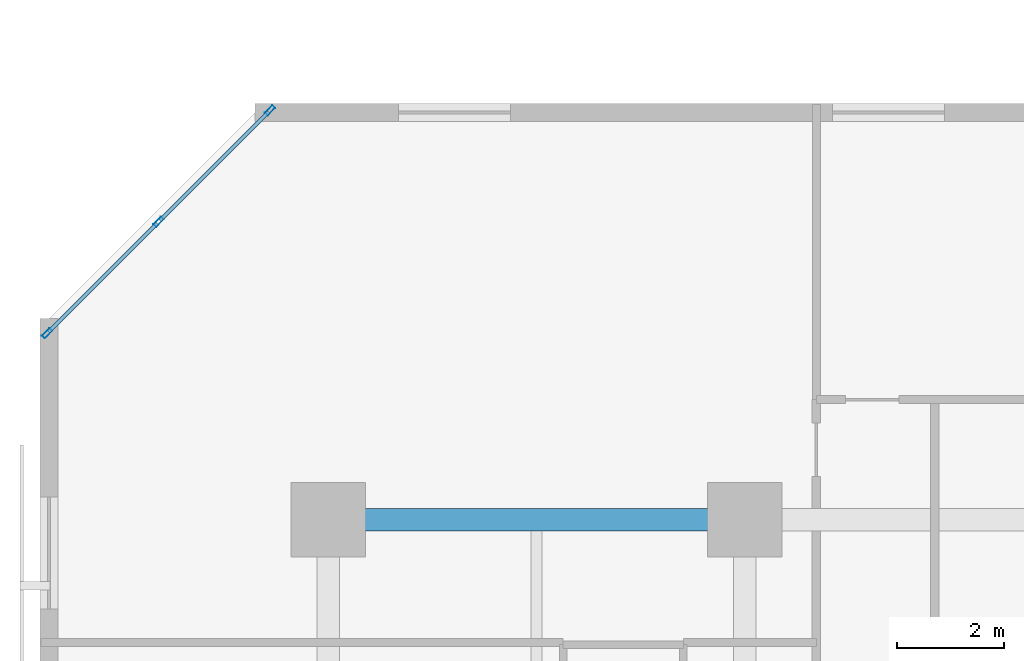
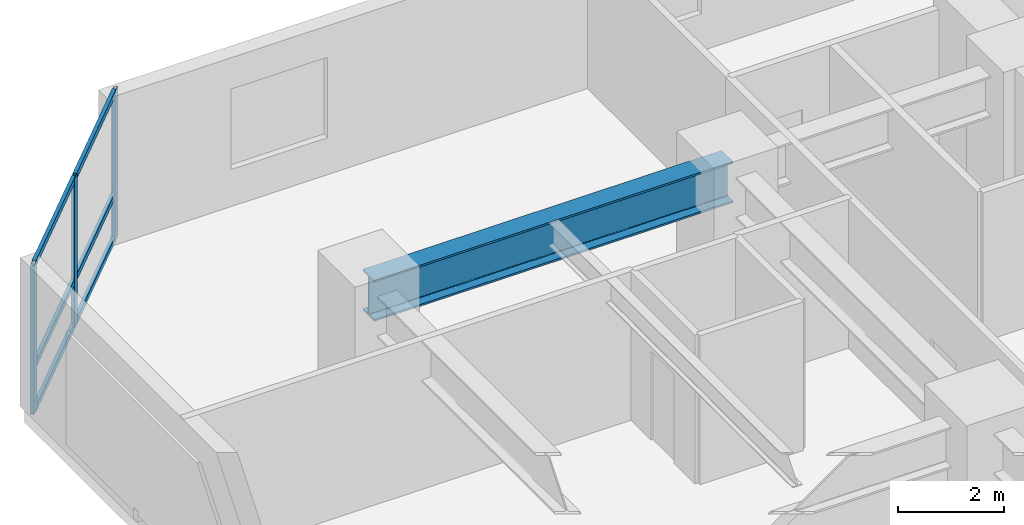
# One storey, part 2 of 11: 9 members, 1 beam, 1 element without a shape of its own.
"""IFC4 building model written with IfcOpenShell, lengths in metres."""

from ifc_helpers import new_model, si_unit, direction, frame, origin, origin_2d, place, context, subcontext, project, spatial, hollow_rectangle, i_section, extrude, material, layer, layer_set, material_profile, profile_set, type_object, element, aggregate, save


model = new_model("IFC4")

# Units and contexts
model_context = context("Model", 3, precision=1e-05, world=origin(), true_north=direction((0.0, 1.0)))
body_context = subcontext(model_context, "Body", "Model", "MODEL_VIEW")
ifc_project = project(units=[si_unit("LENGTHUNIT", "METRE"), si_unit("AREAUNIT", "SQUARE_METRE"), si_unit("VOLUMEUNIT", "CUBIC_METRE"), si_unit("PLANEANGLEUNIT", "RADIAN"), si_unit("MASSUNIT", "GRAM", prefix="KILO")], contexts=[model_context])

# Site, building, storey
site_placement = place(None, origin())
site = spatial("IfcSite", under=ifc_project, at=site_placement, CompositionType="ELEMENT")
building_placement = place(site_placement, origin())
building = spatial("IfcBuilding", under=site, at=building_placement, Name="Kestravale Grand Hotel", CompositionType="ELEMENT")
storey_placement = place(building_placement, frame((0.0, 0.0, 71.60009765625)))
storey = spatial("IfcBuildingStorey", under=building, at=storey_placement, Name="L17", CompositionType="ELEMENT", Elevation=71.60009765625)

# Beam
ifc_material_1 = material(Name="Steel ASTM A992 Grade 50", Category="steel")
ifc_material_profile_1 = material_profile(ifc_material_1, i_section(OverallWidth=0.424072265625, OverallDepth=0.947021484375, WebThickness=0.02392578125, FlangeThickness=0.042724609375, FilletRadius=0.0283203125, at=origin_2d()))
ifc_profile_set_1 = profile_set([ifc_material_profile_1], Name="Steel ASTM A992 Grade 50")
beam_type = type_object("IfcBeamType", Name="B-GRD-W36", PredefinedType="BEAM", material=ifc_profile_set_1)
beam_placement = place(storey_placement, frame((7.800048828125, 38.39990234375, 2.9462890625), z_axis=(1.0, 0.0, 0.0), x_axis=(0.0, 1.0, 0.0)))
element("IfcBeam", 1, at=beam_placement, inside=storey, type_object=beam_type, Name="L17 girder F:2-3", PredefinedType="BEAM", context=body_context, shape_type="SweptSolid", body=[
    extrude(i_section(OverallWidth=0.424072265625, OverallDepth=0.947021484375, WebThickness=0.02392578125, FlangeThickness=0.042724609375, FilletRadius=0.0283203125, at=origin_2d()), origin(), (0.0, 0.0, 1.0), 7.800048828125),
])

# Curtain wall, members
ifc_material_2 = material(Name="Thermally broken champagne-bronze aluminium and low-E glazing", Category="aluminium")
ifc_layer = layer(ifc_material_2, 0.199951171875)
ifc_layer_set = layer_set([ifc_layer], Name="CW-Z1")
curtain_wall_type = type_object("IfcCurtainWallType", Name="CW-Z1", PredefinedType="NOTDEFINED", material=ifc_layer_set)
curtain_wall_placement = place(storey_placement, origin())
curtain_wall = element("IfcCurtainWall", 2, at=curtain_wall_placement, inside=storey, type_object=curtain_wall_type, Name="L17 unitised curtain wall 18", PredefinedType="NOTDEFINED")
ifc_material_3 = material(Name="Aluminium 6063-T6 anodised", Category="aluminium")
ifc_material_profile_2 = material_profile(ifc_material_3, hollow_rectangle(XDim=0.074951171875, YDim=0.199951171875, WallThickness=0.00390625, at=origin_2d()))
ifc_profile_set_2 = profile_set([ifc_material_profile_2], Name="Aluminium 6063-T6 anodised")
member_type_1 = type_object("IfcMemberType", Name="CW-MUL-200", PredefinedType="MULLION", material=ifc_profile_set_2)
member_1_placement = place(storey_placement, frame((6.707763671875, 46.0673828125, 0.0), z_axis=(0.0, 0.0, 1.0), x_axis=(0.707106781187, -0.707106781187, 0.0)))
member_1 = element("IfcMember", 3, at=member_1_placement, type_object=member_type_1, Name="CW-Z1 mullion 1", PredefinedType="MULLION", context=body_context, shape_type="SweptSolid", body=[
    extrude(hollow_rectangle(XDim=0.074951171875, YDim=0.199951171875, WallThickness=0.00390625, at=origin_2d()), origin(), (0.0, 0.0, 1.0), 3.419921875),
])
member_2_placement = place(storey_placement, frame((4.6201171875, 43.979736328125, 0.0), z_axis=(0.0, 0.0, 1.0), x_axis=(0.707106781187, -0.707106781187, 0.0)))
member_2 = element("IfcMember", 4, at=member_2_placement, type_object=member_type_1, Name="CW-Z1 mullion 2", PredefinedType="MULLION", context=body_context, shape_type="SweptSolid", body=[
    extrude(hollow_rectangle(XDim=0.074951171875, YDim=0.199951171875, WallThickness=0.00390625, at=origin_2d()), origin(), (0.0, 0.0, 1.0), 3.419921875),
])
member_3_placement = place(storey_placement, frame((2.532470703125, 41.89208984375, 0.0), z_axis=(0.0, 0.0, 1.0), x_axis=(0.707106781187, -0.707106781187, 0.0)))
member_3 = element("IfcMember", 5, at=member_3_placement, type_object=member_type_1, Name="CW-Z1 mullion 3", PredefinedType="MULLION", context=body_context, shape_type="SweptSolid", body=[
    extrude(hollow_rectangle(XDim=0.074951171875, YDim=0.199951171875, WallThickness=0.00390625, at=origin_2d()), origin(), (0.0, 0.0, 1.0), 3.419921875),
])
ifc_material_4 = material(Name="Aluminium 6063-T6 anodised", Category="aluminium")
ifc_material_profile_3 = material_profile(ifc_material_4, hollow_rectangle(XDim=0.074951171875, YDim=0.139892578125, WallThickness=0.00341796875, at=origin_2d()))
ifc_profile_set_3 = profile_set([ifc_material_profile_3], Name="Aluminium 6063-T6 anodised")
member_type_2 = type_object("IfcMemberType", Name="CW-TRN-140", PredefinedType="USERDEFINED", material=ifc_profile_set_3)
member_4_placement = place(storey_placement, frame((6.681396484375, 46.041015625, 0.037353515625), z_axis=(-0.707106781187, -0.707106781187, 0.0), x_axis=(0.707106781187, -0.707106781187, 0.0)))
member_4 = element("IfcMember", 6, at=member_4_placement, type_object=member_type_2, Name="CW-Z1 transom 1.1", ObjectType="TRANSOM", PredefinedType="USERDEFINED", context=body_context, shape_type="SweptSolid", body=[
    extrude(hollow_rectangle(XDim=0.074951171875, YDim=0.139892578125, WallThickness=0.00341796875, at=origin_2d()), origin(), (0.0, 0.0, 1.0), 2.87744140625),
])
member_5_placement = place(storey_placement, frame((6.681396484375, 46.041015625, 1.0498046875), z_axis=(-0.707106781187, -0.707106781187, 0.0), x_axis=(0.707106781187, -0.707106781187, 0.0)))
member_5 = element("IfcMember", 7, at=member_5_placement, type_object=member_type_2, Name="CW-Z1 transom 1.2", ObjectType="TRANSOM", PredefinedType="USERDEFINED", context=body_context, shape_type="SweptSolid", body=[
    extrude(hollow_rectangle(XDim=0.074951171875, YDim=0.139892578125, WallThickness=0.00341796875, at=origin_2d()), origin(), (0.0, 0.0, 1.0), 2.87744140625),
])
member_6_placement = place(storey_placement, frame((6.681396484375, 46.041015625, 3.38232421875), z_axis=(-0.707106781187, -0.707106781187, 0.0), x_axis=(0.707106781187, -0.707106781187, 0.0)))
member_6 = element("IfcMember", 8, at=member_6_placement, type_object=member_type_2, Name="CW-Z1 transom 1.3", ObjectType="TRANSOM", PredefinedType="USERDEFINED", context=body_context, shape_type="SweptSolid", body=[
    extrude(hollow_rectangle(XDim=0.074951171875, YDim=0.139892578125, WallThickness=0.00341796875, at=origin_2d()), origin(), (0.0, 0.0, 1.0), 2.87744140625),
])
member_7_placement = place(storey_placement, frame((4.59375, 43.953369140625, 0.037353515625), z_axis=(-0.707106781187, -0.707106781187, 0.0), x_axis=(0.707106781187, -0.707106781187, 0.0)))
member_7 = element("IfcMember", 9, at=member_7_placement, type_object=member_type_2, Name="CW-Z1 transom 2.1", ObjectType="TRANSOM", PredefinedType="USERDEFINED", context=body_context, shape_type="SweptSolid", body=[
    extrude(hollow_rectangle(XDim=0.074951171875, YDim=0.139892578125, WallThickness=0.00341796875, at=origin_2d()), origin(), (0.0, 0.0, 1.0), 2.87744140625),
])
member_8_placement = place(storey_placement, frame((4.59375, 43.953369140625, 1.0498046875), z_axis=(-0.707106781187, -0.707106781187, 0.0), x_axis=(0.707106781187, -0.707106781187, 0.0)))
member_8 = element("IfcMember", 10, at=member_8_placement, type_object=member_type_2, Name="CW-Z1 transom 2.2", ObjectType="TRANSOM", PredefinedType="USERDEFINED", context=body_context, shape_type="SweptSolid", body=[
    extrude(hollow_rectangle(XDim=0.074951171875, YDim=0.139892578125, WallThickness=0.00341796875, at=origin_2d()), origin(), (0.0, 0.0, 1.0), 2.87744140625),
])
member_9_placement = place(storey_placement, frame((4.59375, 43.953369140625, 3.38232421875), z_axis=(-0.707106781187, -0.707106781187, 0.0), x_axis=(0.707106781187, -0.707106781187, 0.0)))
member_9 = element("IfcMember", 11, at=member_9_placement, type_object=member_type_2, Name="CW-Z1 transom 2.3", ObjectType="TRANSOM", PredefinedType="USERDEFINED", context=body_context, shape_type="SweptSolid", body=[
    extrude(hollow_rectangle(XDim=0.074951171875, YDim=0.139892578125, WallThickness=0.00341796875, at=origin_2d()), origin(), (0.0, 0.0, 1.0), 2.87744140625),
])
aggregate(curtain_wall, [member_1, member_2, member_3, member_4, member_5, member_6, member_7, member_8, member_9])

save(model, "model.ifc")
